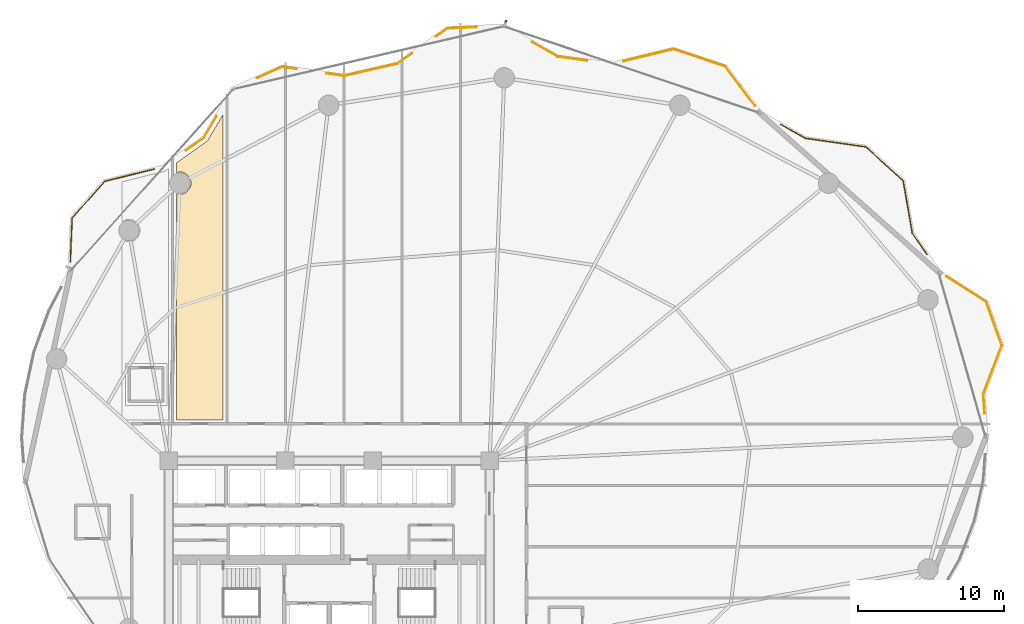
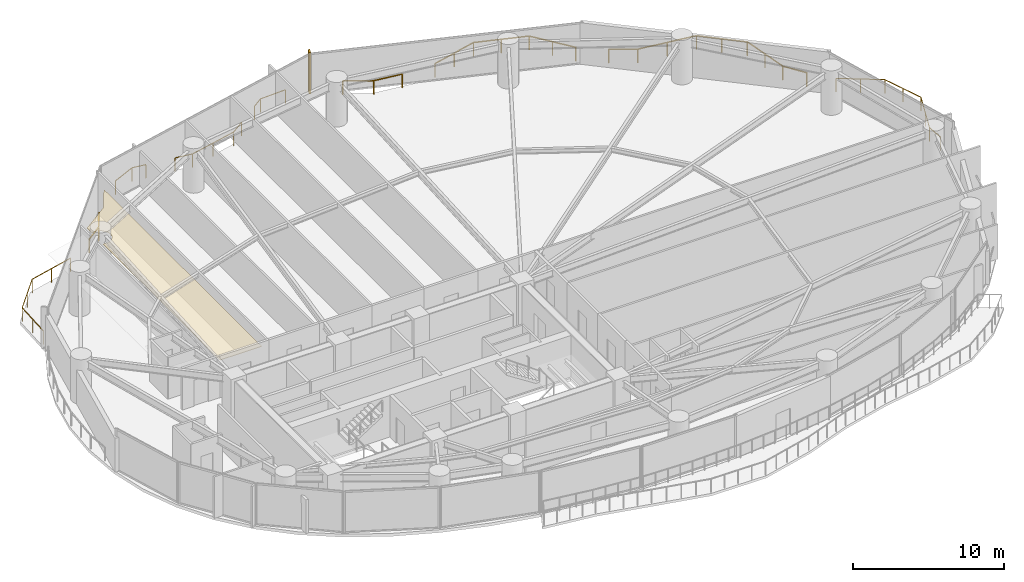
# One storey, part 32 of 32: 9 railings, 1 covering, 1 shading device.
"""IFC4 building model written with IfcOpenShell, lengths in metres."""

from ifc_helpers import new_model, si_unit, direction, frame, origin, origin_2d, place, context, subcontext, project, spatial, polyline, rectangle, outline, extrude, material, layer, layer_set, type_object, element, save


model = new_model("IFC4")

# Units and contexts
model_context = context("Model", 3, precision=1e-05, world=origin(), true_north=direction((0.0, 1.0)))
body_context = subcontext(model_context, "Body", "Model", "MODEL_VIEW")
ifc_project = project(units=[si_unit("LENGTHUNIT", "METRE"), si_unit("AREAUNIT", "SQUARE_METRE"), si_unit("VOLUMEUNIT", "CUBIC_METRE"), si_unit("PLANEANGLEUNIT", "RADIAN"), si_unit("MASSUNIT", "GRAM", prefix="KILO")], contexts=[model_context])

# Site, building, storey
site_placement = place(None, origin())
site = spatial("IfcSite", under=ifc_project, at=site_placement, CompositionType="ELEMENT")
building_placement = place(site_placement, origin())
building = spatial("IfcBuilding", under=site, at=building_placement, Name="Kazevale Care Tower and Concert Hall", CompositionType="ELEMENT")
storey_placement = place(building_placement, frame((0.0, 0.0, 85.199951171875)))
storey = spatial("IfcBuildingStorey", under=building, at=storey_placement, Name="L22", CompositionType="ELEMENT", Elevation=85.199951171875)

# Covering
ifc_material_1 = material(Name="Acoustic Plaster and Hinoki Wood", Category="wood")
ifc_layer = layer(ifc_material_1, 0.0400390625)
ifc_layer_set = layer_set([ifc_layer], Name="Acoustic Plaster and Hinoki Wood")
covering_type = type_object("IfcCoveringType", Name="Acoustic Perforated Wood-Gypsum Ceiling", PredefinedType="CEILING", material=ifc_layer_set)
covering_placement = place(storey_placement, frame((0.0, 0.0, 2.7099609375)))
element("IfcCovering", 1, at=covering_placement, inside=storey, type_object=covering_type, Name="clg:L22:2", PredefinedType="CEILING", context=body_context, shape_type="SweptSolid", body=[
    extrude(outline(polyline([(22.530029296875, 39.205078125), (22.530029296875, 54.68896484375), (22.912109375, 54.6650390625), (23.193115234375, 54.781005859375), (23.48095703125, 55.132080078125), (23.5400390625, 55.429931640625), (23.48095703125, 55.72802734375), (23.193115234375, 56.0791015625), (22.912109375, 56.195068359375), (22.530029296875, 56.1708984375), (22.530029296875, 56.818115234375), (24.64599609375, 58.322021484375), (25.719970703125, 60.1298828125), (25.719970703125, 39.205078125), (22.530029296875, 39.205078125)])), origin(), (0.0, 0.0, 1.0), 0.0400390625),
])

# Railings
ifc_material_2 = material(Name="Anodised Bronze Aluminium and Laminated Glass", Category="aluminium")
railing_type = type_object("IfcRailingType", Name="Balcony and Terrace Balustrade 1120", PredefinedType="BALUSTRADE", material=ifc_material_2)
railing_1_placement = place(storey_placement, frame((15.251953125, 50.034912109375, 0.0)))
element("IfcRailing", 2, at=railing_1_placement, inside=storey, type_object=railing_type, Name="rail:L22:perim:2", PredefinedType="BALUSTRADE", context=body_context, shape_type="SweptSolid", body=[
    extrude(rectangle(XDim=0.048095703125, YDim=0.048095703125, at=origin_2d()), frame((0.0, 0.0, 1.09619140625), z_axis=(0.041074605667, 0.999156082286, 0.0), x_axis=(-0.999156082286, 0.041074605667, 0.0)), (0.0, 0.0, 1.0), 2.99560546875),
    extrude(rectangle(XDim=0.048095703125, YDim=0.048095703125, at=origin_2d()), frame((0.123046875, 2.9931640625, 1.09619140625), z_axis=(0.660590227041, 0.750746662955, 0.0), x_axis=(-0.750746662955, 0.660590227041, 0.0)), (0.0, 0.0, 1.0), 3.360595703125),
    extrude(rectangle(XDim=0.048095703125, YDim=0.048095703125, at=origin_2d()), frame((2.343017578125, 5.51611328125, 1.09619140625), z_axis=(0.970746118015, 0.2401082555, 0.0), x_axis=(-0.2401082555, 0.970746118015, 0.0)), (0.0, 0.0, 1.0), 3.52734375),
    extrude(rectangle(XDim=0.0419921875, YDim=0.0419921875, at=origin_2d()), origin(), (0.0, 0.0, 1.0), 1.072021484375),
    extrude(rectangle(XDim=0.0419921875, YDim=0.0419921875, at=origin_2d()), frame((0.0615234375, 1.49658203125, 0.0)), (0.0, 0.0, 1.0), 1.072021484375),
    extrude(rectangle(XDim=0.0419921875, YDim=0.0419921875, at=origin_2d()), frame((0.123046875, 2.9931640625, 0.0)), (0.0, 0.0, 1.0), 1.072021484375),
    extrude(rectangle(XDim=0.0419921875, YDim=0.0419921875, at=origin_2d()), frame((1.23291015625, 4.254638671875, 0.0)), (0.0, 0.0, 1.0), 1.072021484375),
    extrude(rectangle(XDim=0.0419921875, YDim=0.0419921875, at=origin_2d()), frame((2.343017578125, 5.51611328125, 0.0)), (0.0, 0.0, 1.0), 1.072021484375),
    extrude(rectangle(XDim=0.0419921875, YDim=0.0419921875, at=origin_2d()), frame((4.05517578125, 5.939453125, 0.0)), (0.0, 0.0, 1.0), 1.072021484375),
    extrude(rectangle(XDim=0.0419921875, YDim=0.0419921875, at=origin_2d()), frame((5.76708984375, 6.363037109375, 0.0)), (0.0, 0.0, 1.0), 1.072021484375),
])
railing_2_placement = place(storey_placement, frame((23.18310546875, 57.675048828125, 0.0)))
element("IfcRailing", 3, at=railing_2_placement, inside=storey, type_object=railing_type, Name="rail:L22:perim:3", PredefinedType="BALUSTRADE", context=body_context, shape_type="SweptSolid", body=[
    extrude(rectangle(XDim=0.048095703125, YDim=0.048095703125, at=origin_2d()), frame((0.0, 0.0, 1.09619140625), z_axis=(0.815271476447, 0.579078940813, 0.0), x_axis=(-0.579078940813, 0.815271476447, 0.0)), (0.0, 0.0, 1.0), 1.498779296875),
    extrude(rectangle(XDim=0.048095703125, YDim=0.048095703125, at=origin_2d()), frame((1.221923828125, 0.867919921875, 1.09619140625), z_axis=(0.510989983653, 0.85958666614, 0.0), x_axis=(-0.85958666614, 0.510989983653, 0.0)), (0.0, 0.0, 1.0), 1.71240234375),
    extrude(rectangle(XDim=0.0419921875, YDim=0.0419921875, at=origin_2d()), origin(), (0.0, 0.0, 1.0), 1.072021484375),
    extrude(rectangle(XDim=0.0419921875, YDim=0.0419921875, at=origin_2d()), frame((1.221923828125, 0.867919921875, 0.0)), (0.0, 0.0, 1.0), 1.072021484375),
    extrude(rectangle(XDim=0.0419921875, YDim=0.0419921875, at=origin_2d()), frame((2.096923828125, 2.33984375, 0.0)), (0.0, 0.0, 1.0), 1.072021484375),
])
railing_3_placement = place(storey_placement, frame((28.0439453125, 62.62890625, 0.0)))
element("IfcRailing", 4, at=railing_3_placement, inside=storey, type_object=railing_type, Name="rail:L22:perim:4", PredefinedType="BALUSTRADE", context=body_context, shape_type="SweptSolid", body=[
    extrude(rectangle(XDim=0.048095703125, YDim=0.048095703125, at=origin_2d()), frame((0.0, 0.0, 1.09619140625), z_axis=(0.913352559242, 0.407169623777, 0.0), x_axis=(-0.407169623777, 0.913352559242, 0.0)), (0.0, 0.0, 1.0), 1.888671875),
    extrude(rectangle(XDim=0.048095703125, YDim=0.048095703125, at=origin_2d()), frame((1.72509765625, 0.76904296875, 1.09619140625), z_axis=(0.989558795052, -0.144129771854, 0.0), x_axis=(0.144129771854, 0.989558795052, 0.0)), (0.0, 0.0, 1.0), 0.984130859375),
    extrude(rectangle(XDim=0.0419921875, YDim=0.0419921875, at=origin_2d()), origin(), (0.0, 0.0, 1.0), 1.072021484375),
    extrude(rectangle(XDim=0.0419921875, YDim=0.0419921875, at=origin_2d()), frame((1.72509765625, 0.76904296875, 0.0)), (0.0, 0.0, 1.0), 1.072021484375),
    extrude(rectangle(XDim=0.0419921875, YDim=0.0419921875, at=origin_2d()), frame((2.698974609375, 0.627197265625, 0.0)), (0.0, 0.0, 1.0), 1.072021484375),
])
railing_4_placement = place(storey_placement, frame((32.80810546875, 62.9560546875, 0.0)))
element("IfcRailing", 5, at=railing_4_placement, inside=storey, type_object=railing_type, Name="rail:L22:perim:5", PredefinedType="BALUSTRADE", context=body_context, shape_type="SweptSolid", body=[
    extrude(rectangle(XDim=0.048095703125, YDim=0.048095703125, at=origin_2d()), frame((0.0, 0.0, 1.09619140625), z_axis=(0.989473394726, -0.144714896018, 0.0), x_axis=(0.144714896018, 0.989473394726, 0.0)), (0.0, 0.0, 1.0), 1.2451171875),
    extrude(rectangle(XDim=0.048095703125, YDim=0.048095703125, at=origin_2d()), frame((1.23193359375, -0.18017578125, 1.09619140625), z_axis=(0.974721611797, 0.223422871469, 0.0), x_axis=(-0.223422871469, 0.974721611797, 0.0)), (0.0, 0.0, 1.0), 3.72412109375),
    extrude(rectangle(XDim=0.048095703125, YDim=0.048095703125, at=origin_2d()), frame((4.86181640625, 0.65185546875, 1.09619140625), z_axis=(0.817531019455, 0.575884565021, 0.0), x_axis=(-0.575884565021, 0.817531019455, 0.0)), (0.0, 0.0, 1.0), 1.236572265625),
    extrude(rectangle(XDim=0.0419921875, YDim=0.0419921875, at=origin_2d()), origin(), (0.0, 0.0, 1.0), 1.072021484375),
    extrude(rectangle(XDim=0.0419921875, YDim=0.0419921875, at=origin_2d()), frame((1.23193359375, -0.18017578125, 0.0)), (0.0, 0.0, 1.0), 1.072021484375),
    extrude(rectangle(XDim=0.0419921875, YDim=0.0419921875, at=origin_2d()), frame((3.046875, 0.23583984375, 0.0)), (0.0, 0.0, 1.0), 1.072021484375),
    extrude(rectangle(XDim=0.0419921875, YDim=0.0419921875, at=origin_2d()), frame((4.86181640625, 0.65185546875, 0.0)), (0.0, 0.0, 1.0), 1.072021484375),
    extrude(rectangle(XDim=0.0419921875, YDim=0.0419921875, at=origin_2d()), frame((5.872802734375, 1.364013671875, 0.0)), (0.0, 0.0, 1.0), 1.072021484375),
])
railing_5_placement = place(storey_placement, frame((40.33203125, 65.48388671875, 0.0)))
element("IfcRailing", 6, at=railing_5_placement, inside=storey, type_object=railing_type, Name="rail:L22:perim:6", PredefinedType="BALUSTRADE", context=body_context, shape_type="SweptSolid", body=[
    extrude(rectangle(XDim=0.048095703125, YDim=0.048095703125, at=origin_2d()), frame((0.0, 0.0, 1.09619140625), z_axis=(0.81724423362, 0.576291473661, 0.0), x_axis=(-0.576291473661, 0.81724423362, 0.0)), (0.0, 0.0, 1.0), 0.954345703125),
    extrude(rectangle(XDim=0.048095703125, YDim=0.048095703125, at=origin_2d()), frame((0.780029296875, 0.550048828125, 1.09619140625), z_axis=(0.998979482106, 0.045166296416, 0.0), x_axis=(-0.045166296416, 0.998979482106, 0.0)), (0.0, 0.0, 1.0), 1.972900390625),
    extrude(rectangle(XDim=0.0419921875, YDim=0.0419921875, at=origin_2d()), origin(), (0.0, 0.0, 1.0), 1.072021484375),
    extrude(rectangle(XDim=0.0419921875, YDim=0.0419921875, at=origin_2d()), frame((0.780029296875, 0.550048828125, 0.0)), (0.0, 0.0, 1.0), 1.072021484375),
    extrude(rectangle(XDim=0.0419921875, YDim=0.0419921875, at=origin_2d()), frame((2.7509765625, 0.63916015625, 0.0)), (0.0, 0.0, 1.0), 1.072021484375),
])
railing_6_placement = place(storey_placement, frame((46.89404296875, 65.111083984375, 0.0)))
element("IfcRailing", 7, at=railing_6_placement, inside=storey, type_object=railing_type, Name="rail:L22:perim:7", PredefinedType="BALUSTRADE", context=body_context, shape_type="SweptSolid", body=[
    extrude(rectangle(XDim=0.048095703125, YDim=0.048095703125, at=origin_2d()), frame((0.0, 0.0, 1.09619140625), z_axis=(0.869101036599, -0.494634600673, 0.0), x_axis=(0.494634600673, 0.869101036599, 0.0)), (0.0, 0.0, 1.0), 2.0458984375),
    extrude(rectangle(XDim=0.048095703125, YDim=0.048095703125, at=origin_2d()), frame((1.778076171875, -1.011962890625, 1.09619140625), z_axis=(0.990941564824, -0.134293764205, 0.0), x_axis=(0.134293764205, 0.990941564824, 0.0)), (0.0, 0.0, 1.0), 2.0341796875),
    extrude(rectangle(XDim=0.0419921875, YDim=0.0419921875, at=origin_2d()), origin(), (0.0, 0.0, 1.0), 1.072021484375),
    extrude(rectangle(XDim=0.0419921875, YDim=0.0419921875, at=origin_2d()), frame((1.778076171875, -1.011962890625, 0.0)), (0.0, 0.0, 1.0), 1.072021484375),
    extrude(rectangle(XDim=0.0419921875, YDim=0.0419921875, at=origin_2d()), frame((3.7939453125, -1.28515625, 0.0)), (0.0, 0.0, 1.0), 1.072021484375),
])
railing_7_placement = place(storey_placement, frame((53.178955078125, 63.785888671875, 0.0)))
element("IfcRailing", 8, at=railing_7_placement, inside=storey, type_object=railing_type, Name="rail:L22:perim:8", PredefinedType="BALUSTRADE", context=body_context, shape_type="SweptSolid", body=[
    extrude(rectangle(XDim=0.048095703125, YDim=0.048095703125, at=origin_2d()), frame((0.0, 0.0, 1.09619140625), z_axis=(0.971976910222, 0.235076340782, 0.0), x_axis=(-0.235076340782, 0.971976910222, 0.0)), (0.0, 0.0, 1.0), 3.522705078125),
    extrude(rectangle(XDim=0.048095703125, YDim=0.048095703125, at=origin_2d()), frame((3.424072265625, 0.828125, 1.09619140625), z_axis=(0.948423028768, -0.317007505436, 0.0), x_axis=(0.317007505436, 0.948423028768, 0.0)), (0.0, 0.0, 1.0), 3.7568359375),
    extrude(rectangle(XDim=0.048095703125, YDim=0.048095703125, at=origin_2d()), frame((6.987060546875, -0.36279296875, 1.09619140625), z_axis=(0.6033118617, -0.797505358936, 0.0), x_axis=(0.797505358936, 0.6033118617, 0.0)), (0.0, 0.0, 1.0), 3.3681640625),
    extrude(rectangle(XDim=0.0419921875, YDim=0.0419921875, at=origin_2d()), origin(), (0.0, 0.0, 1.0), 1.072021484375),
    extrude(rectangle(XDim=0.0419921875, YDim=0.0419921875, at=origin_2d()), frame((1.7119140625, 0.4140625, 0.0)), (0.0, 0.0, 1.0), 1.072021484375),
    extrude(rectangle(XDim=0.0419921875, YDim=0.0419921875, at=origin_2d()), frame((3.424072265625, 0.828125, 0.0)), (0.0, 0.0, 1.0), 1.072021484375),
    extrude(rectangle(XDim=0.0419921875, YDim=0.0419921875, at=origin_2d()), frame((5.20556640625, 0.232666015625, 0.0)), (0.0, 0.0, 1.0), 1.072021484375),
    extrude(rectangle(XDim=0.0419921875, YDim=0.0419921875, at=origin_2d()), frame((6.987060546875, -0.36279296875, 0.0)), (0.0, 0.0, 1.0), 1.072021484375),
    extrude(rectangle(XDim=0.0419921875, YDim=0.0419921875, at=origin_2d()), frame((8.0029296875, -1.705810546875, 0.0)), (0.0, 0.0, 1.0), 1.072021484375),
    extrude(rectangle(XDim=0.0419921875, YDim=0.0419921875, at=origin_2d()), frame((9.01904296875, -3.048828125, 0.0)), (0.0, 0.0, 1.0), 1.072021484375),
])
railing_8_placement = place(storey_placement, frame((63.962890625, 59.4599609375, 0.0)))
element("IfcRailing", 9, at=railing_8_placement, inside=storey, type_object=railing_type, Name="rail:L22:perim:9", PredefinedType="BALUSTRADE", context=body_context, shape_type="SweptSolid", body=[
    extrude(rectangle(XDim=0.048095703125, YDim=0.048095703125, at=origin_2d()), frame((0.0, 0.0, 1.09619140625), z_axis=(0.87100743995, -0.491269823572, 0.0), x_axis=(0.491269823572, 0.87100743995, 0.0)), (0.0, 0.0, 1.0), 1.941650390625),
    extrude(rectangle(XDim=0.048095703125, YDim=0.048095703125, at=origin_2d()), frame((1.691162109375, -0.953857421875, 1.09619140625), z_axis=(0.989923784735, -0.141601202028, 0.0), x_axis=(0.141601202028, 0.989923784735, 0.0)), (0.0, 0.0, 1.0), 4.18115234375),
    extrude(rectangle(XDim=0.048095703125, YDim=0.048095703125, at=origin_2d()), frame((5.830078125, -1.5458984375, 1.09619140625), z_axis=(0.742300328983, -0.670067326163, 0.0), x_axis=(0.670067326163, 0.742300328983, 0.0)), (0.0, 0.0, 1.0), 3.447509765625),
    extrude(rectangle(XDim=0.048095703125, YDim=0.048095703125, at=origin_2d()), frame((8.38916015625, -3.85595703125, 1.09619140625), z_axis=(0.170970284775, -0.985276185505, 0.0), x_axis=(0.985276185505, 0.170970284775, 0.0)), (0.0, 0.0, 1.0), 3.6669921875),
    extrude(rectangle(XDim=0.048095703125, YDim=0.048095703125, at=origin_2d()), frame((9.01611328125, -7.468994140625, 1.09619140625), z_axis=(0.570574482476, -0.821245858405, 0.0), x_axis=(0.821245858405, 0.570574482476, 0.0)), (0.0, 0.0, 1.0), 1.766845703125),
    extrude(rectangle(XDim=0.0419921875, YDim=0.0419921875, at=origin_2d()), origin(), (0.0, 0.0, 1.0), 1.072021484375),
    extrude(rectangle(XDim=0.0419921875, YDim=0.0419921875, at=origin_2d()), frame((1.691162109375, -0.953857421875, 0.0)), (0.0, 0.0, 1.0), 1.072021484375),
    extrude(rectangle(XDim=0.0419921875, YDim=0.0419921875, at=origin_2d()), frame((3.7607421875, -1.25, 0.0)), (0.0, 0.0, 1.0), 1.072021484375),
    extrude(rectangle(XDim=0.0419921875, YDim=0.0419921875, at=origin_2d()), frame((5.830078125, -1.5458984375, 0.0)), (0.0, 0.0, 1.0), 1.072021484375),
    extrude(rectangle(XDim=0.0419921875, YDim=0.0419921875, at=origin_2d()), frame((7.109619140625, -2.700927734375, 0.0)), (0.0, 0.0, 1.0), 1.072021484375),
    extrude(rectangle(XDim=0.0419921875, YDim=0.0419921875, at=origin_2d()), frame((8.38916015625, -3.85595703125, 0.0)), (0.0, 0.0, 1.0), 1.072021484375),
    extrude(rectangle(XDim=0.0419921875, YDim=0.0419921875, at=origin_2d()), frame((8.70263671875, -5.66259765625, 0.0)), (0.0, 0.0, 1.0), 1.072021484375),
    extrude(rectangle(XDim=0.0419921875, YDim=0.0419921875, at=origin_2d()), frame((9.01611328125, -7.468994140625, 0.0)), (0.0, 0.0, 1.0), 1.072021484375),
    extrude(rectangle(XDim=0.0419921875, YDim=0.0419921875, at=origin_2d()), frame((10.024169921875, -8.919921875, 0.0)), (0.0, 0.0, 1.0), 1.072021484375),
])
railing_9_placement = place(storey_placement, frame((75.3349609375, 49.01708984375, 0.0)))
element("IfcRailing", 10, at=railing_9_placement, inside=storey, type_object=railing_type, Name="rail:L22:perim:11", PredefinedType="BALUSTRADE", context=body_context, shape_type="SweptSolid", body=[
    extrude(rectangle(XDim=0.048095703125, YDim=0.048095703125, at=origin_2d()), frame((0.0, 0.0, 1.09619140625), z_axis=(0.842161842335, -0.539224843006, 0.0), x_axis=(0.539224843006, 0.842161842335, 0.0)), (0.0, 0.0, 1.0), 3.238037109375),
    extrude(rectangle(XDim=0.048095703125, YDim=0.048095703125, at=origin_2d()), frame((2.72705078125, -1.74609375, 1.09619140625), z_axis=(0.336169134452, -0.941801631471, 0.0), x_axis=(0.941801631471, 0.336169134452, 0.0)), (0.0, 0.0, 1.0), 3.143798828125),
    extrude(rectangle(XDim=0.048095703125, YDim=0.048095703125, at=origin_2d()), frame((3.783935546875, -4.70703125, 1.09619140625), z_axis=(-0.356009559773, -0.934482313022, 0.0), x_axis=(0.934482313022, -0.356009559773, 0.0)), (0.0, 0.0, 1.0), 3.566650390625),
    extrude(rectangle(XDim=0.048095703125, YDim=0.048095703125, at=origin_2d()), frame((2.51416015625, -8.0400390625, 1.09619140625), z_axis=(0.070815678785, -0.997489418309, 0.0), x_axis=(0.997489418309, 0.070815678785, 0.0)), (0.0, 0.0, 1.0), 1.327392578125),
    extrude(rectangle(XDim=0.0419921875, YDim=0.0419921875, at=origin_2d()), origin(), (0.0, 0.0, 1.0), 1.072021484375),
    extrude(rectangle(XDim=0.0419921875, YDim=0.0419921875, at=origin_2d()), frame((1.363525390625, -0.873046875, 0.0)), (0.0, 0.0, 1.0), 1.072021484375),
    extrude(rectangle(XDim=0.0419921875, YDim=0.0419921875, at=origin_2d()), frame((2.72705078125, -1.74609375, 0.0)), (0.0, 0.0, 1.0), 1.072021484375),
    extrude(rectangle(XDim=0.0419921875, YDim=0.0419921875, at=origin_2d()), frame((3.25537109375, -3.2265625, 0.0)), (0.0, 0.0, 1.0), 1.072021484375),
    extrude(rectangle(XDim=0.0419921875, YDim=0.0419921875, at=origin_2d()), frame((3.783935546875, -4.70703125, 0.0)), (0.0, 0.0, 1.0), 1.072021484375),
    extrude(rectangle(XDim=0.0419921875, YDim=0.0419921875, at=origin_2d()), frame((3.14892578125, -6.37353515625, 0.0)), (0.0, 0.0, 1.0), 1.072021484375),
    extrude(rectangle(XDim=0.0419921875, YDim=0.0419921875, at=origin_2d()), frame((2.51416015625, -8.0400390625, 0.0)), (0.0, 0.0, 1.0), 1.072021484375),
    extrude(rectangle(XDim=0.0419921875, YDim=0.0419921875, at=origin_2d()), frame((2.608154296875, -9.364013671875, 0.0)), (0.0, 0.0, 1.0), 1.072021484375),
])

# Shading device
ifc_material_3 = material(Name="Honed Ochre Limestone", Category="masonry")
shading_device_type = type_object("IfcShadingDeviceType", Name="Vertical Honed Limestone Fin FIN-01", PredefinedType="USERDEFINED", material=ifc_material_3)
shading_device_placement = place(storey_placement, frame((45.08251953125, 66.41650390625, 0.0), z_axis=(0.0, 0.0, 1.0), x_axis=(0.320612990586, 0.947210277746, 0.0)))
element("IfcShadingDevice", 11, at=shading_device_placement, inside=storey, type_object=shading_device_type, Name="cw:L22:f16:fin", ObjectType="FIN", PredefinedType="USERDEFINED", context=body_context, shape_type="SweptSolid", body=[
    extrude(rectangle(XDim=0.3798828125, YDim=0.1201171875, at=origin_2d()), origin(), (0.0, 0.0, 1.0), 3.360107421875),
])

save(model, "model.ifc")
